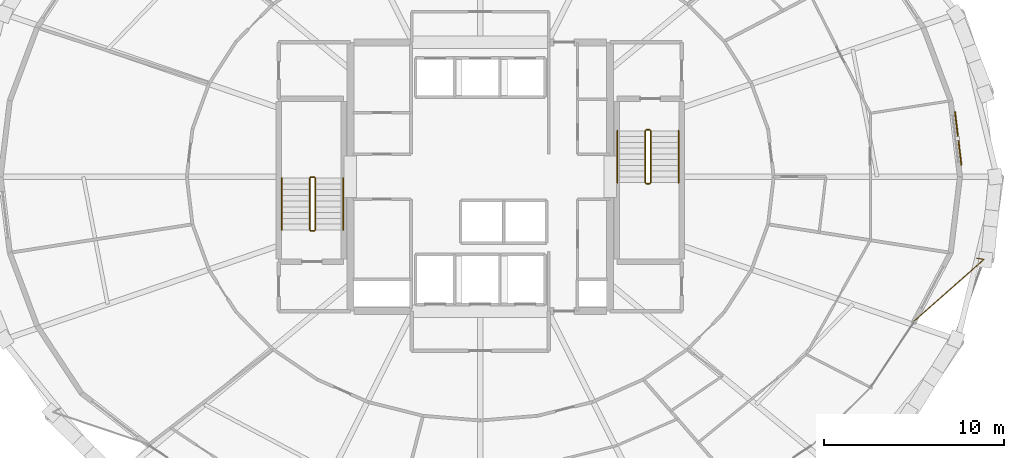
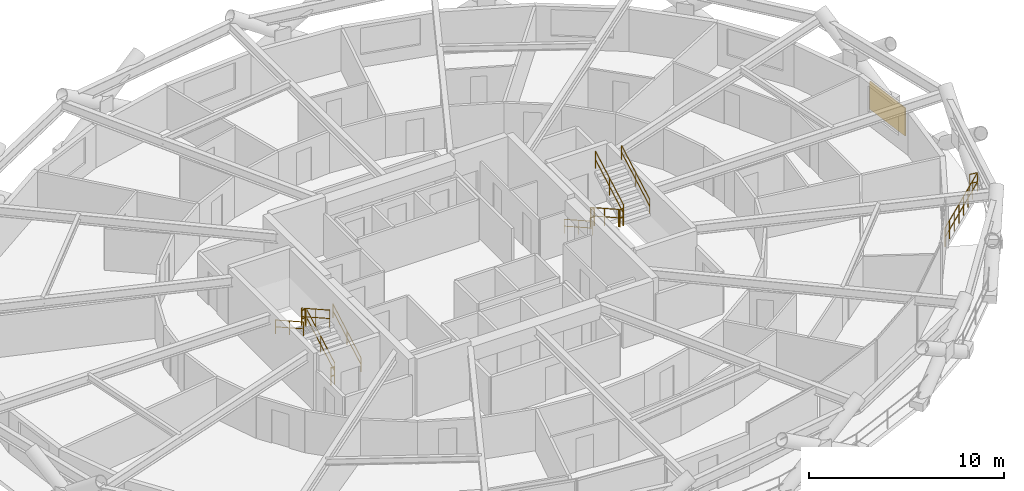
# One storey, part 17 of 17: 13 railings, 1 shading device.
"""IFC4 building model written with IfcOpenShell, lengths in metres."""

from ifc_helpers import new_model, si_unit, direction, frame, origin, origin_2d, place, context, subcontext, project, spatial, rectangle, circle, extrude, material, layer, layer_set, type_object, element, save


model = new_model("IFC4")

# Units and contexts
model_context = context("Model", 3, precision=1e-05, world=origin(), true_north=direction((0.0, 1.0)))
body_context = subcontext(model_context, "Body", "Model", "MODEL_VIEW")
ifc_project = project(units=[si_unit("LENGTHUNIT", "METRE"), si_unit("AREAUNIT", "SQUARE_METRE"), si_unit("VOLUMEUNIT", "CUBIC_METRE"), si_unit("PLANEANGLEUNIT", "RADIAN"), si_unit("MASSUNIT", "GRAM", prefix="KILO")], contexts=[model_context])

# Site, building, storey
site_placement = place(None, origin())
site = spatial("IfcSite", under=ifc_project, at=site_placement, CompositionType="ELEMENT")
building_placement = place(site_placement, origin())
building = spatial("IfcBuilding", under=site, at=building_placement, Name="Veldorina Hangang Commons", CompositionType="ELEMENT")
storey_placement = place(building_placement, frame((0.0, 0.0, 55.60009765625)))
storey = spatial("IfcBuildingStorey", under=building, at=storey_placement, Name="L13", CompositionType="ELEMENT", Elevation=55.60009765625)

# Railings
ifc_material_1 = material(Name="Glass Laminated Safety Balustrade", Category="glass")
railing_type_1 = type_object("IfcRailingType", Name="RL-BAL-LOGGIA", PredefinedType="BALUSTRADE", material=ifc_material_1)
railing_1_placement = place(storey_placement, frame((59.5185546875, 19.484619140625, 0.0)))
element("IfcRailing", 1, at=railing_1_placement, inside=storey, type_object=railing_type_1, Name="L13 sky-garden loggia end balustrade B", PredefinedType="BALUSTRADE", context=body_context, shape_type="SweptSolid", body=[
    extrude(circle(Radius=0.02392578125, at=origin_2d()), frame((0.0, 0.0, 1.17578125), z_axis=(0.986768283702, -0.162136838135, 0.0), x_axis=(0.162136838135, 0.986768283702, 0.0)), (0.0, 0.0, 1.0), 0.420166015625),
    extrude(circle(Radius=0.02392578125, at=origin_2d()), frame((0.0, 0.0, 0.60009765625), z_axis=(0.986768283702, -0.162136838135, 0.0), x_axis=(0.162136838135, 0.986768283702, 0.0)), (0.0, 0.0, 1.0), 0.420166015625),
    extrude(circle(Radius=0.02392578125, at=origin_2d()), frame((0.41455078125, -0.068115234375, 1.17578125), z_axis=(-0.749503377763, -0.662000518672, 0.0), x_axis=(0.662000518672, -0.749503377763, 0.0)), (0.0, 0.0, 1.0), 5.22021484375),
    extrude(circle(Radius=0.02392578125, at=origin_2d()), frame((0.41455078125, -0.068115234375, 0.60009765625), z_axis=(-0.749503377763, -0.662000518672, 0.0), x_axis=(0.662000518672, -0.749503377763, 0.0)), (0.0, 0.0, 1.0), 5.22021484375),
    extrude(circle(Radius=0.02099609375, at=origin_2d()), origin(), (0.0, 0.0, 1.0), 1.15185546875),
    extrude(circle(Radius=0.02099609375, at=origin_2d()), frame((0.41455078125, -0.068115234375, 0.0)), (0.0, 0.0, 1.0), 1.15185546875),
    extrude(circle(Radius=0.02099609375, at=origin_2d()), frame((-0.144287109375, -0.561767578125, 0.0)), (0.0, 0.0, 1.0), 1.15185546875),
    extrude(circle(Radius=0.02099609375, at=origin_2d()), frame((-0.703369140625, -1.055419921875, 0.0)), (0.0, 0.0, 1.0), 1.15185546875),
    extrude(circle(Radius=0.02099609375, at=origin_2d()), frame((-1.26220703125, -1.549072265625, 0.0)), (0.0, 0.0, 1.0), 1.15185546875),
    extrude(circle(Radius=0.02099609375, at=origin_2d()), frame((-1.8212890625, -2.04296875, 0.0)), (0.0, 0.0, 1.0), 1.15185546875),
    extrude(circle(Radius=0.02099609375, at=origin_2d()), frame((-2.380126953125, -2.53662109375, 0.0)), (0.0, 0.0, 1.0), 1.15185546875),
    extrude(circle(Radius=0.02099609375, at=origin_2d()), frame((-2.939208984375, -3.0302734375, 0.0)), (0.0, 0.0, 1.0), 1.15185546875),
    extrude(circle(Radius=0.02099609375, at=origin_2d()), frame((-3.498046875, -3.52392578125, 0.0)), (0.0, 0.0, 1.0), 1.15185546875),
])
ifc_material_2 = material(Name="Steel Painted Balustrade", Category="steel")
railing_type_2 = type_object("IfcRailingType", Name="RL-GRD-STAIR", PredefinedType="GUARDRAIL", material=ifc_material_2)
railing_2_placement = place(storey_placement, frame((22.85009765625, 21.050048828125, 0.179931640625)))
element("IfcRailing", 2, at=railing_2_placement, inside=storey, type_object=railing_type_2, Name="L13 ST-1 stair guard 1", PredefinedType="GUARDRAIL", context=body_context, shape_type="SweptSolid", body=[
    extrude(circle(Radius=0.02392578125, at=origin_2d()), frame((0.0, 0.0, 1.076171875), z_axis=(0.0, 0.871583430097, 0.490247207417), x_axis=(-1.0, 0.0, 0.0)), (0.0, 0.0, 1.0), 3.30419921875),
    extrude(circle(Radius=0.02392578125, at=origin_2d()), frame((0.0, 0.0, 0.550048828125), z_axis=(0.0, 0.871583430097, 0.490247207417), x_axis=(-1.0, 0.0, 0.0)), (0.0, 0.0, 1.0), 3.30419921875),
    extrude(circle(Radius=0.02099609375, at=origin_2d()), origin(), (0.0, 0.0, 1.0), 1.052001953125),
    extrude(circle(Radius=0.02099609375, at=origin_2d()), frame((0.0, 1.43994140625, 0.81005859375)), (0.0, 0.0, 1.0), 1.052001953125),
    extrude(circle(Radius=0.02099609375, at=origin_2d()), frame((0.0, 2.8798828125, 1.619873046875)), (0.0, 0.0, 1.0), 1.052001953125),
])
railing_3_placement = place(storey_placement, frame((22.800048828125, 23.97998046875, 1.7998046875)))
element("IfcRailing", 3, at=railing_3_placement, inside=storey, type_object=railing_type_2, Name="L13 ST-1 stair guard 2", PredefinedType="GUARDRAIL", context=body_context, shape_type="SweptSolid", body=[
    extrude(circle(Radius=0.02392578125, at=origin_2d()), frame((0.0, 0.0, 1.076171875), z_axis=(-1.0, 0.0, 0.0), x_axis=(0.0, -1.0, 0.0)), (0.0, 0.0, 1.0), 0.199951171875),
    extrude(circle(Radius=0.02392578125, at=origin_2d()), frame((0.0, 0.0, 0.550048828125), z_axis=(-1.0, 0.0, 0.0), x_axis=(0.0, -1.0, 0.0)), (0.0, 0.0, 1.0), 0.199951171875),
    extrude(circle(Radius=0.02099609375, at=origin_2d()), origin(), (0.0, 0.0, 1.0), 1.052001953125),
    extrude(circle(Radius=0.02099609375, at=origin_2d()), frame((-0.199951171875, 0.0, 0.0)), (0.0, 0.0, 1.0), 1.052001953125),
])
railing_4_placement = place(storey_placement, frame((22.550048828125, 23.929931640625, 1.97998046875)))
element("IfcRailing", 4, at=railing_4_placement, inside=storey, type_object=railing_type_2, Name="L13 ST-1 stair guard 3", PredefinedType="GUARDRAIL", context=body_context, shape_type="SweptSolid", body=[
    extrude(circle(Radius=0.02392578125, at=origin_2d()), frame((0.0, 0.0, 1.076171875), z_axis=(0.0, -0.871583430097, 0.490247207417), x_axis=(1.0, 0.0, 0.0)), (0.0, 0.0, 1.0), 3.30419921875),
    extrude(circle(Radius=0.02392578125, at=origin_2d()), frame((0.0, 0.0, 0.550048828125), z_axis=(0.0, -0.871583430097, 0.490247207417), x_axis=(1.0, 0.0, 0.0)), (0.0, 0.0, 1.0), 3.30419921875),
    extrude(circle(Radius=0.02099609375, at=origin_2d()), origin(), (0.0, 0.0, 1.0), 1.052001953125),
    extrude(circle(Radius=0.02099609375, at=origin_2d()), frame((0.0, -1.43994140625, 0.81005859375)), (0.0, 0.0, 1.0), 1.052001953125),
    extrude(circle(Radius=0.02099609375, at=origin_2d()), frame((0.0, -2.8798828125, 1.619873046875)), (0.0, 0.0, 1.0), 1.052001953125),
])
railing_5_placement = place(storey_placement, frame((22.800048828125, 21.0, 0.0)))
element("IfcRailing", 5, at=railing_5_placement, inside=storey, type_object=railing_type_2, Name="L13 ST-1 stair guard 4", PredefinedType="GUARDRAIL", context=body_context, shape_type="SweptSolid", body=[
    extrude(circle(Radius=0.02392578125, at=origin_2d()), frame((0.0, 0.0, 1.076171875), z_axis=(-1.0, 0.0, 0.0), x_axis=(0.0, -1.0, 0.0)), (0.0, 0.0, 1.0), 0.199951171875),
    extrude(circle(Radius=0.02392578125, at=origin_2d()), frame((0.0, 0.0, 0.550048828125), z_axis=(-1.0, 0.0, 0.0), x_axis=(0.0, -1.0, 0.0)), (0.0, 0.0, 1.0), 0.199951171875),
    extrude(circle(Radius=0.02099609375, at=origin_2d()), origin(), (0.0, 0.0, 1.0), 1.052001953125),
    extrude(circle(Radius=0.02099609375, at=origin_2d()), frame((-0.199951171875, 0.0, 0.0)), (0.0, 0.0, 1.0), 1.052001953125),
])
railing_6_placement = place(storey_placement, frame((41.14990234375, 26.550048828125, 0.179931640625)))
element("IfcRailing", 6, at=railing_6_placement, inside=storey, type_object=railing_type_2, Name="L13 ST-2 stair guard 1", PredefinedType="GUARDRAIL", context=body_context, shape_type="SweptSolid", body=[
    extrude(circle(Radius=0.02392578125, at=origin_2d()), frame((0.0, 0.0, 1.076171875), z_axis=(0.0, -0.871601186807, 0.490215637405), x_axis=(1.0, 0.0, 0.0)), (0.0, 0.0, 1.0), 3.304443359375),
    extrude(circle(Radius=0.02392578125, at=origin_2d()), frame((0.0, 0.0, 0.550048828125), z_axis=(0.0, -0.871601186807, 0.490215637405), x_axis=(1.0, 0.0, 0.0)), (0.0, 0.0, 1.0), 3.304443359375),
    extrude(circle(Radius=0.02099609375, at=origin_2d()), origin(), (0.0, 0.0, 1.0), 1.052001953125),
    extrude(circle(Radius=0.02099609375, at=origin_2d()), frame((0.0, -1.43994140625, 0.81005859375)), (0.0, 0.0, 1.0), 1.052001953125),
    extrude(circle(Radius=0.02099609375, at=origin_2d()), frame((0.0, -2.880126953125, 1.619873046875)), (0.0, 0.0, 1.0), 1.052001953125),
])
railing_7_placement = place(storey_placement, frame((41.199951171875, 23.6201171875, 1.7998046875)))
element("IfcRailing", 7, at=railing_7_placement, inside=storey, type_object=railing_type_2, Name="L13 ST-2 stair guard 2", PredefinedType="GUARDRAIL", context=body_context, shape_type="SweptSolid", body=[
    extrude(circle(Radius=0.02392578125, at=origin_2d()), frame((0.0, 0.0, 1.076171875), z_axis=(1.0, 0.0, 0.0), x_axis=(0.0, 1.0, 0.0)), (0.0, 0.0, 1.0), 0.199951171875),
    extrude(circle(Radius=0.02392578125, at=origin_2d()), frame((0.0, 0.0, 0.550048828125), z_axis=(1.0, 0.0, 0.0), x_axis=(0.0, 1.0, 0.0)), (0.0, 0.0, 1.0), 0.199951171875),
    extrude(circle(Radius=0.02099609375, at=origin_2d()), origin(), (0.0, 0.0, 1.0), 1.052001953125),
    extrude(circle(Radius=0.02099609375, at=origin_2d()), frame((0.199951171875, 0.0, 0.0)), (0.0, 0.0, 1.0), 1.052001953125),
])
railing_8_placement = place(storey_placement, frame((41.449951171875, 23.669921875, 1.97998046875)))
element("IfcRailing", 8, at=railing_8_placement, inside=storey, type_object=railing_type_2, Name="L13 ST-2 stair guard 3", PredefinedType="GUARDRAIL", context=body_context, shape_type="SweptSolid", body=[
    extrude(circle(Radius=0.02392578125, at=origin_2d()), frame((0.0, 0.0, 1.076171875), z_axis=(0.0, 0.871601186807, 0.490215637405), x_axis=(-1.0, 0.0, 0.0)), (0.0, 0.0, 1.0), 3.304443359375),
    extrude(circle(Radius=0.02392578125, at=origin_2d()), frame((0.0, 0.0, 0.550048828125), z_axis=(0.0, 0.871601186807, 0.490215637405), x_axis=(-1.0, 0.0, 0.0)), (0.0, 0.0, 1.0), 3.304443359375),
    extrude(circle(Radius=0.02099609375, at=origin_2d()), origin(), (0.0, 0.0, 1.0), 1.052001953125),
    extrude(circle(Radius=0.02099609375, at=origin_2d()), frame((0.0, 1.43994140625, 0.81005859375)), (0.0, 0.0, 1.0), 1.052001953125),
    extrude(circle(Radius=0.02099609375, at=origin_2d()), frame((0.0, 2.880126953125, 1.619873046875)), (0.0, 0.0, 1.0), 1.052001953125),
])
railing_9_placement = place(storey_placement, frame((41.199951171875, 26.60009765625, 0.0)))
element("IfcRailing", 9, at=railing_9_placement, inside=storey, type_object=railing_type_2, Name="L13 ST-2 stair guard 4", PredefinedType="GUARDRAIL", context=body_context, shape_type="SweptSolid", body=[
    extrude(circle(Radius=0.02392578125, at=origin_2d()), frame((0.0, 0.0, 1.076171875), z_axis=(1.0, 0.0, 0.0), x_axis=(0.0, 1.0, 0.0)), (0.0, 0.0, 1.0), 0.199951171875),
    extrude(circle(Radius=0.02392578125, at=origin_2d()), frame((0.0, 0.0, 0.550048828125), z_axis=(1.0, 0.0, 0.0), x_axis=(0.0, 1.0, 0.0)), (0.0, 0.0, 1.0), 0.199951171875),
    extrude(circle(Radius=0.02099609375, at=origin_2d()), origin(), (0.0, 0.0, 1.0), 1.052001953125),
    extrude(circle(Radius=0.02099609375, at=origin_2d()), frame((0.199951171875, 0.0, 0.0)), (0.0, 0.0, 1.0), 1.052001953125),
])
ifc_material_3 = material(Name="Stainless Steel Brushed 316", Category="steel")
railing_type_3 = type_object("IfcRailingType", Name="RL-HND-STAIR", PredefinedType="HANDRAIL", material=ifc_material_3)
railing_10_placement = place(storey_placement, frame((24.39990234375, 21.050048828125, 0.179931640625)))
element("IfcRailing", 10, at=railing_10_placement, inside=storey, type_object=railing_type_3, Name="L13 ST-1 stair handrail 1", PredefinedType="HANDRAIL", context=body_context, shape_type="SweptSolid", body=[
    extrude(circle(Radius=0.02392578125, at=origin_2d()), frame((0.0, 0.0, 0.8759765625), z_axis=(0.0, 0.871583430097, 0.490247207417), x_axis=(-1.0, 0.0, 0.0)), (0.0, 0.0, 1.0), 3.30419921875),
    extrude(circle(Radius=0.02392578125, at=origin_2d()), frame((0.0, 0.0, 0.449951171875), z_axis=(0.0, 0.871583430097, 0.490247207417), x_axis=(-1.0, 0.0, 0.0)), (0.0, 0.0, 1.0), 3.30419921875),
    extrude(circle(Radius=0.02099609375, at=origin_2d()), origin(), (0.0, 0.0, 1.0), 0.851806640625),
    extrude(circle(Radius=0.02099609375, at=origin_2d()), frame((0.0, 1.43994140625, 0.81005859375)), (0.0, 0.0, 1.0), 0.851806640625),
    extrude(circle(Radius=0.02099609375, at=origin_2d()), frame((0.0, 2.8798828125, 1.619873046875)), (0.0, 0.0, 1.0), 0.851806640625),
])
railing_11_placement = place(storey_placement, frame((21.0, 23.929931640625, 1.97998046875)))
element("IfcRailing", 11, at=railing_11_placement, inside=storey, type_object=railing_type_3, Name="L13 ST-1 stair handrail 2", PredefinedType="HANDRAIL", context=body_context, shape_type="SweptSolid", body=[
    extrude(circle(Radius=0.02392578125, at=origin_2d()), frame((0.0, 0.0, 0.8759765625), z_axis=(0.0, -0.871583430097, 0.490247207417), x_axis=(1.0, 0.0, 0.0)), (0.0, 0.0, 1.0), 3.30419921875),
    extrude(circle(Radius=0.02392578125, at=origin_2d()), frame((0.0, 0.0, 0.449951171875), z_axis=(0.0, -0.871583430097, 0.490247207417), x_axis=(1.0, 0.0, 0.0)), (0.0, 0.0, 1.0), 3.30419921875),
    extrude(circle(Radius=0.02099609375, at=origin_2d()), origin(), (0.0, 0.0, 1.0), 0.851806640625),
    extrude(circle(Radius=0.02099609375, at=origin_2d()), frame((0.0, -1.43994140625, 0.81005859375)), (0.0, 0.0, 1.0), 0.851806640625),
    extrude(circle(Radius=0.02099609375, at=origin_2d()), frame((0.0, -2.8798828125, 1.619873046875)), (0.0, 0.0, 1.0), 0.851806640625),
])
railing_12_placement = place(storey_placement, frame((39.60009765625, 26.550048828125, 0.179931640625)))
element("IfcRailing", 12, at=railing_12_placement, inside=storey, type_object=railing_type_3, Name="L13 ST-2 stair handrail 1", PredefinedType="HANDRAIL", context=body_context, shape_type="SweptSolid", body=[
    extrude(circle(Radius=0.02392578125, at=origin_2d()), frame((0.0, 0.0, 0.8759765625), z_axis=(0.0, -0.871601186807, 0.490215637405), x_axis=(1.0, 0.0, 0.0)), (0.0, 0.0, 1.0), 3.304443359375),
    extrude(circle(Radius=0.02392578125, at=origin_2d()), frame((0.0, 0.0, 0.449951171875), z_axis=(0.0, -0.871601186807, 0.490215637405), x_axis=(1.0, 0.0, 0.0)), (0.0, 0.0, 1.0), 3.304443359375),
    extrude(circle(Radius=0.02099609375, at=origin_2d()), origin(), (0.0, 0.0, 1.0), 0.851806640625),
    extrude(circle(Radius=0.02099609375, at=origin_2d()), frame((0.0, -1.43994140625, 0.81005859375)), (0.0, 0.0, 1.0), 0.851806640625),
    extrude(circle(Radius=0.02099609375, at=origin_2d()), frame((0.0, -2.880126953125, 1.619873046875)), (0.0, 0.0, 1.0), 0.851806640625),
])
railing_13_placement = place(storey_placement, frame((43.0, 23.669921875, 1.97998046875)))
element("IfcRailing", 13, at=railing_13_placement, inside=storey, type_object=railing_type_3, Name="L13 ST-2 stair handrail 2", PredefinedType="HANDRAIL", context=body_context, shape_type="SweptSolid", body=[
    extrude(circle(Radius=0.02392578125, at=origin_2d()), frame((0.0, 0.0, 0.8759765625), z_axis=(0.0, 0.871601186807, 0.490215637405), x_axis=(-1.0, 0.0, 0.0)), (0.0, 0.0, 1.0), 3.304443359375),
    extrude(circle(Radius=0.02392578125, at=origin_2d()), frame((0.0, 0.0, 0.449951171875), z_axis=(0.0, 0.871601186807, 0.490215637405), x_axis=(-1.0, 0.0, 0.0)), (0.0, 0.0, 1.0), 3.304443359375),
    extrude(circle(Radius=0.02099609375, at=origin_2d()), origin(), (0.0, 0.0, 1.0), 0.851806640625),
    extrude(circle(Radius=0.02099609375, at=origin_2d()), frame((0.0, 1.43994140625, 0.81005859375)), (0.0, 0.0, 1.0), 0.851806640625),
    extrude(circle(Radius=0.02099609375, at=origin_2d()), frame((0.0, 2.880126953125, 1.619873046875)), (0.0, 0.0, 1.0), 0.851806640625),
])

# Shading device
ifc_material_4 = material(Name="Ceramic Glazed Terracotta", Category="masonry")
ifc_layer = layer(ifc_material_4, 0.06005859375)
ifc_layer_set = layer_set([ifc_layer], Name="Ceramic Glazed Terracotta")
shading_device_type = type_object("IfcShadingDeviceType", Name="SCR-CER-3000", PredefinedType="USERDEFINED", material=ifc_layer_set)
shading_device_placement = place(storey_placement, frame((58.50390625, 26.126220703125, 0.75), z_axis=(0.0, 0.0, 1.0), x_axis=(-0.120396737979, 0.992725856158, 0.0)))
element("IfcShadingDevice", 14, at=shading_device_placement, inside=storey, type_object=shading_device_type, Name="L13 PERFORATED CERAMIC SOLAR SCREEN 00", ObjectType="SCREEN", PredefinedType="USERDEFINED", context=body_context, shape_type="SweptSolid", body=[
    extrude(rectangle(XDim=3.0, YDim=0.06005859375, at=origin_2d()), origin(), (0.0, 0.0, 1.0), 1.75),
])

save(model, "model.ifc")
